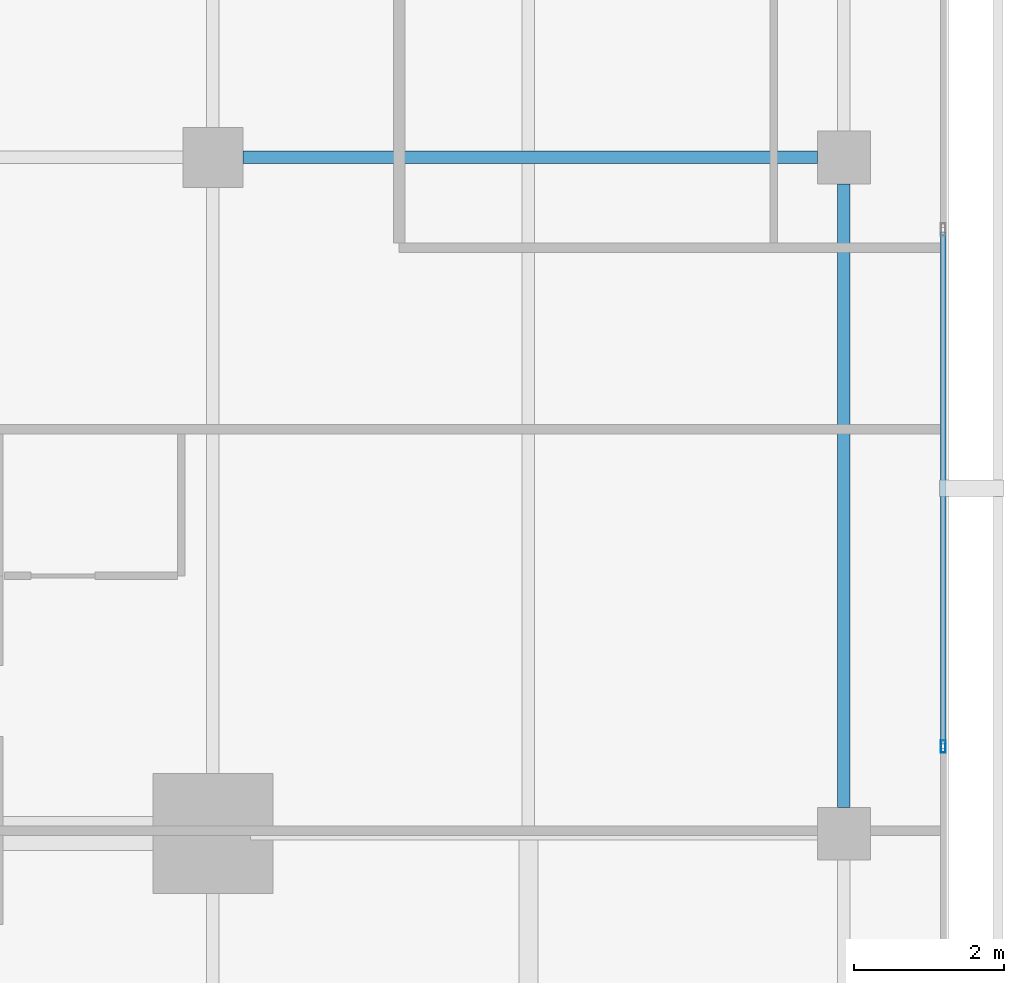
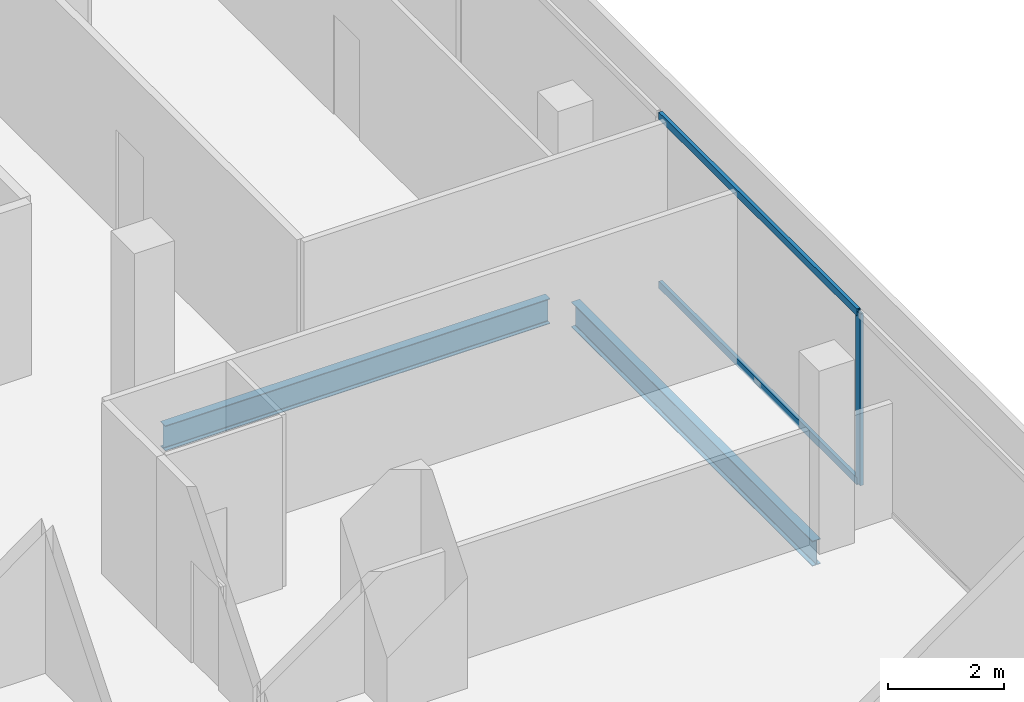
# One storey, part 14 of 25: 3 members, 2 beams, 1 element without a shape of its own.
"""IFC4 building model written with IfcOpenShell, lengths in metres."""

from ifc_helpers import new_model, si_unit, direction, frame, origin, origin_2d, place, context, subcontext, project, spatial, hollow_rectangle, i_section, extrude, material, layer, layer_set, material_profile, profile_set, type_object, element, aggregate, save


model = new_model("IFC4")

# Units and contexts
model_context = context("Model", 3, precision=1e-05, world=origin(), true_north=direction((0.0, 1.0)))
body_context = subcontext(model_context, "Body", "Model", "MODEL_VIEW")
ifc_project = project(units=[si_unit("LENGTHUNIT", "METRE"), si_unit("AREAUNIT", "SQUARE_METRE"), si_unit("VOLUMEUNIT", "CUBIC_METRE"), si_unit("PLANEANGLEUNIT", "RADIAN"), si_unit("MASSUNIT", "GRAM", prefix="KILO")], contexts=[model_context])

# Site, building, storey
site_placement = place(None, origin())
site = spatial("IfcSite", under=ifc_project, at=site_placement, CompositionType="ELEMENT")
building_placement = place(site_placement, origin())
building = spatial("IfcBuilding", under=site, at=building_placement, Name="Maruvema Waterfront Hotel and Observation Tower", CompositionType="ELEMENT")
storey_placement = place(building_placement, frame((0.0, 0.0, 308.699951171875)))
storey = spatial("IfcBuildingStorey", under=building, at=storey_placement, Name="L76", CompositionType="ELEMENT", Elevation=308.699951171875)

# Curtain wall, members
ifc_material_1 = material(Name="Anodised bronze aluminium and solar-control low-E IGU", Category="aluminium")
ifc_layer = layer(ifc_material_1, 0.159912109375, Name="Zone 3 Champagne Inner Thermal Curtain Wall System CW-04")
ifc_layer_set = layer_set([ifc_layer], Name="Anodised bronze aluminium and solar-control low-E IGU")
curtain_wall_type = type_object("IfcCurtainWallType", Name="Zone 3 Champagne Inner Thermal Curtain Wall System CW-04", PredefinedType="USERDEFINED", material=ifc_layer_set)
curtain_wall_placement = place(storey_placement, origin())
curtain_wall = element("IfcCurtainWall", 1, at=curtain_wall_placement, inside=storey, type_object=curtain_wall_type, Name="L76 Curtain Wall CW-L76-E", ObjectType="UNITISED CURTAIN WALL", PredefinedType="USERDEFINED")
ifc_material_2 = material(Name="Anodised architectural bronze aluminium", Category="aluminium")
ifc_material_profile_1 = material_profile(ifc_material_2, hollow_rectangle(XDim=0.070068359375, YDim=0.14990234375, WallThickness=0.00390625, at=origin_2d()), Name="ALU-T70x150")
ifc_profile_set_1 = profile_set([ifc_material_profile_1], Name="Anodised architectural bronze aluminium")
member_type_1 = type_object("IfcMemberType", Name="Curtain Wall Horizontal Transom ALU-T70x150", PredefinedType="USERDEFINED", material=ifc_profile_set_1)
member_1_placement = place(storey_placement, frame((60.1201171875, 28.18994140625, 0.030029296875), z_axis=(0.0, 1.0, 0.0), x_axis=(-1.0, 0.0, 0.0)))
member_1 = element("IfcMember", 2, at=member_1_placement, type_object=member_type_1, Name="CW-04 transom 3.1", ObjectType="TRANSOM", PredefinedType="USERDEFINED", context=body_context, shape_type="SweptSolid", body=[
    extrude(hollow_rectangle(XDim=0.070068359375, YDim=0.14990234375, WallThickness=0.00390625, at=origin_2d()), origin(), (0.0, 0.0, 1.0), 6.820068359375),
])
member_2_placement = place(storey_placement, frame((60.1201171875, 28.18994140625, 3.580078125), z_axis=(0.0, 1.0, 0.0), x_axis=(-1.0, 0.0, 0.0)))
member_2 = element("IfcMember", 3, at=member_2_placement, type_object=member_type_1, Name="CW-04 transom 3.2", ObjectType="TRANSOM", PredefinedType="USERDEFINED", context=body_context, shape_type="SweptSolid", body=[
    extrude(hollow_rectangle(XDim=0.070068359375, YDim=0.14990234375, WallThickness=0.00390625, at=origin_2d()), origin(), (0.0, 0.0, 1.0), 6.820068359375),
])
ifc_material_3 = material(Name="Anodised architectural bronze aluminium", Category="aluminium")
ifc_material_profile_2 = material_profile(ifc_material_3, hollow_rectangle(XDim=0.06494140625, YDim=0.1650390625, WallThickness=0.00390625, at=origin_2d()), Name="ALU-M65x165")
ifc_profile_set_2 = profile_set([ifc_material_profile_2], Name="Anodised architectural bronze aluminium")
member_type_2 = type_object("IfcMemberType", Name="Curtain Wall Primary Mullion ALU-M65x165", PredefinedType="MULLION", material=ifc_profile_set_2)
member_3_placement = place(storey_placement, frame((60.1201171875, 28.159912109375, 0.0), z_axis=(0.0, 0.0, 1.0), x_axis=(-1.0, 0.0, 0.0)))
member_3 = element("IfcMember", 4, at=member_3_placement, type_object=member_type_2, Name="CW-04 mullion 3", PredefinedType="MULLION", context=body_context, shape_type="SweptSolid", body=[
    extrude(hollow_rectangle(XDim=0.06494140625, YDim=0.1650390625, WallThickness=0.00390625, at=origin_2d()), origin(), (0.0, 0.0, 1.0), 3.610107421875),
])
aggregate(curtain_wall, [member_3, member_1, member_2])

# Beams
ifc_material_4 = material(Name="Steel ASTM A572 Grade 50", Category="steel")
ifc_material_profile_3 = material_profile(ifc_material_4, i_section(OverallWidth=0.166015625, OverallDepth=0.529052734375, WebThickness=0.009765625, FlangeThickness=0.013671875, FilletRadius=0.014892578125, at=origin_2d()), Name="W530x74.0")
ifc_profile_set_3 = profile_set([ifc_material_profile_3], Name="Steel ASTM A572 Grade 50")
beam_type = type_object("IfcBeamType", Name="Primary Floor Girder W530x74.0", PredefinedType="BEAM", material=ifc_profile_set_3)
beam_1_placement = place(storey_placement, frame((50.800048828125, 36.0, -0.50439453125), z_axis=(1.0, 0.0, 0.0), x_axis=(0.0, 1.0, 0.0)))
element("IfcBeam", 5, at=beam_1_placement, inside=storey, type_object=beam_type, Name="L76 Floor Girder EW-16", PredefinedType="BEAM", context=body_context, shape_type="SweptSolid", body=[
    extrude(i_section(OverallWidth=0.166015625, OverallDepth=0.529052734375, WebThickness=0.009765625, FlangeThickness=0.013671875, FilletRadius=0.014892578125, at=origin_2d()), origin(), (0.0, 0.0, 1.0), 7.64990234375),
])
beam_2_placement = place(storey_placement, frame((58.800048828125, 27.35009765625, -0.50439453125), z_axis=(0.0, 1.0, 0.0), x_axis=(-1.0, 0.0, 0.0)))
element("IfcBeam", 6, at=beam_2_placement, inside=storey, type_object=beam_type, Name="L76 Floor Girder NS-17", PredefinedType="BEAM", context=body_context, shape_type="SweptSolid", body=[
    extrude(i_section(OverallWidth=0.166015625, OverallDepth=0.529052734375, WebThickness=0.009765625, FlangeThickness=0.013671875, FilletRadius=0.014892578125, at=origin_2d()), origin(), (0.0, 0.0, 1.0), 8.2998046875),
])

save(model, "model.ifc")
